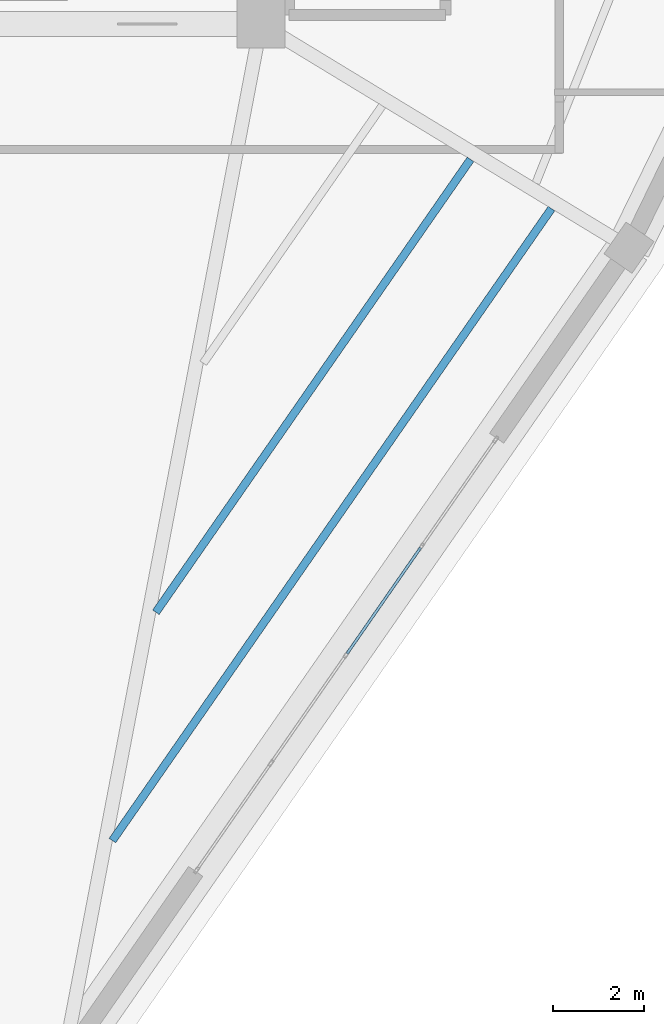
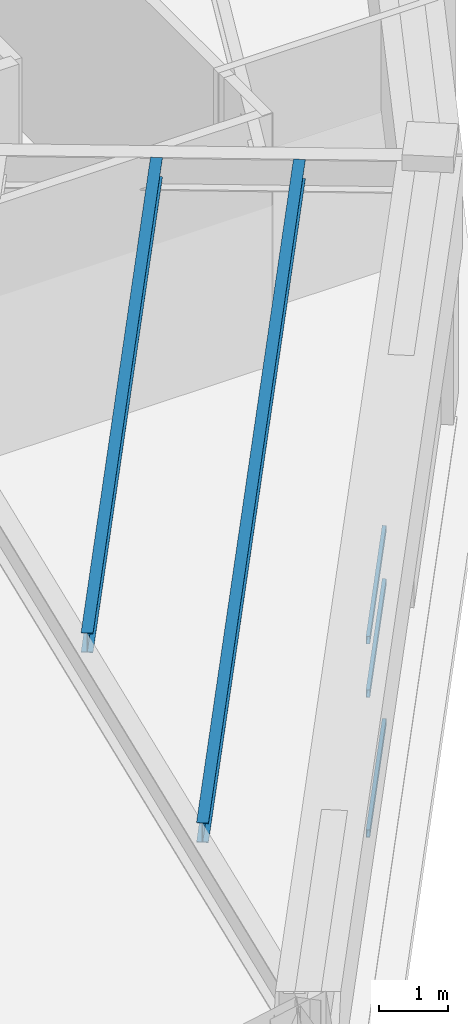
# One storey, part 13 of 40: 3 members, 2 beams, 1 element without a shape of its own.
"""IFC4 building model written with IfcOpenShell, lengths in metres."""

from ifc_helpers import new_model, si_unit, direction, frame, origin, origin_2d, place, context, subcontext, project, spatial, hollow_rectangle, i_section, extrude, source, transform, mapped, material, layer, layer_set, material_profile, profile_set, type_object, element, aggregate, save


model = new_model("IFC4")

# Units and contexts
model_context = context("Model", 3, precision=1e-05, world=origin(), true_north=direction((0.0, 1.0)))
body_context = subcontext(model_context, "Body", "Model", "MODEL_VIEW")
ifc_project = project(units=[si_unit("LENGTHUNIT", "METRE"), si_unit("AREAUNIT", "SQUARE_METRE"), si_unit("VOLUMEUNIT", "CUBIC_METRE"), si_unit("PLANEANGLEUNIT", "RADIAN"), si_unit("MASSUNIT", "GRAM", prefix="KILO")], contexts=[model_context])

# Site, building, storey
site_placement = place(None, origin())
site = spatial("IfcSite", under=ifc_project, at=site_placement, CompositionType="ELEMENT")
building_placement = place(site_placement, origin())
building = spatial("IfcBuilding", under=site, at=building_placement, Name="Liaohun Quay Tower", CompositionType="ELEMENT")
storey_placement = place(building_placement, frame((0.0, 0.0, 351.0)))
storey = spatial("IfcBuildingStorey", under=building, at=storey_placement, Name="L91", CompositionType="ELEMENT", Elevation=351.0)

# Beams
ifc_material_1 = material(Name="Steel Q355D", Category="steel")
ifc_material_profile_1 = material_profile(ifc_material_1, i_section(OverallWidth=0.175048828125, OverallDepth=0.35009765625, WebThickness=0.007080078125, FlangeThickness=0.010986328125, at=origin_2d()), Name="HN350x175x7x11")
ifc_profile_set_1 = profile_set([ifc_material_profile_1], Name="Steel Q355D")
beam_type = type_object("IfcBeamType", Name="BM-SEC-J3", PredefinedType="JOIST", material=ifc_profile_set_1)
shared_shape_1 = source(origin(), body_context, "Body", "SweptSolid", [
    extrude(i_section(OverallWidth=0.175048828125, OverallDepth=0.35009765625, WebThickness=0.007080078125, FlangeThickness=0.010986328125, at=origin_2d()), origin(), (0.0, 0.0, 1.0), 12.12646484375),
])
beam_1_placement = place(storey_placement, frame((73.60888671875, 43.52392578125, 4.344970703125), z_axis=(-0.570561806474, -0.821254665127, 0.0), x_axis=(0.821254665127, -0.570561806474, 0.0)))
element("IfcBeam", 1, at=beam_1_placement, inside=storey, type_object=beam_type, Name="L91 Wing Secondary Floor Joist SJ-13", PredefinedType="JOIST", context=body_context, shape_type="MappedRepresentation", body=[
    mapped(shared_shape_1, transform((0.0, 0.0, 0.0), x_axis=(1.0, 0.0, 0.0), y_axis=(0.0, 1.0, 0.0), z_axis=(0.0, 0.0, 1.0), scale=1.0)),
])
shared_shape_2 = source(origin(), body_context, "Body", "SweptSolid", [
    extrude(i_section(OverallWidth=0.175048828125, OverallDepth=0.35009765625, WebThickness=0.007080078125, FlangeThickness=0.010986328125, at=origin_2d()), origin(), (0.0, 0.0, 1.0), 16.923095703125),
])
beam_2_placement = place(storey_placement, frame((75.389892578125, 42.44189453125, 4.344970703125), z_axis=(-0.570581258811, -0.82124115039, 0.0), x_axis=(0.82124115039, -0.570581258811, 0.0)))
element("IfcBeam", 2, at=beam_2_placement, inside=storey, type_object=beam_type, Name="L91 Wing Secondary Floor Joist SJ-14", PredefinedType="JOIST", context=body_context, shape_type="MappedRepresentation", body=[
    mapped(shared_shape_2, transform((0.0, 0.0, 0.0), x_axis=(1.0, 0.0, 0.0), y_axis=(0.0, 1.0, 0.0), z_axis=(0.0, 0.0, 1.0), scale=1.0)),
])

# Curtain wall, members
ifc_material_2 = material(Name="Observation gallery panoramic triple-glazed curtain wall")
ifc_layer = layer(ifc_material_2, 0.219970703125, Name="Observation gallery panoramic triple-glazed curtain wall")
ifc_layer_set = layer_set([ifc_layer], Name="Observation gallery panoramic triple-glazed curtain wall")
curtain_wall_type = type_object("IfcCurtainWallType", Name="CW-OBS-CRN", PredefinedType="NOTDEFINED", material=ifc_layer_set)
curtain_wall_placement = place(storey_placement, origin())
curtain_wall = element("IfcCurtainWall", 3, at=curtain_wall_placement, inside=storey, type_object=curtain_wall_type, Name="L91 Panoramic Belvedere Curtain Wall 01", PredefinedType="NOTDEFINED")
ifc_material_3 = material(Name="Anodised aluminium 6063-T6", Category="aluminium")
ifc_material_profile_2 = material_profile(ifc_material_3, hollow_rectangle(XDim=0.06005859375, YDim=0.135009765625, WallThickness=0.00390625, at=origin_2d()), Name="RHS135x60x4")
ifc_profile_set_2 = profile_set([ifc_material_profile_2], Name="Anodised aluminium 6063-T6")
member_type = type_object("IfcMemberType", Name="MEM-CWT-SKY", PredefinedType="USERDEFINED", material=ifc_profile_set_2)
shared_shape_3 = source(origin(), body_context, "Body", "SweptSolid", [
    extrude(hollow_rectangle(XDim=0.06005859375, YDim=0.135009765625, WallThickness=0.00390625, at=origin_2d()), origin(), (0.0, 0.0, 1.0), 2.834716796875),
])
member_1_placement = place(storey_placement, frame((70.8935546875, 32.65576171875, 0.030029296875), z_axis=(0.570557192875, 0.821257870378, 0.0), x_axis=(-0.821257870378, 0.570557192875, 0.0)))
member_1 = element("IfcMember", 4, at=member_1_placement, type_object=member_type, Name="CW6 transom 3.1", ObjectType="TRANSOM", PredefinedType="USERDEFINED", context=body_context, shape_type="MappedRepresentation", body=[
    mapped(shared_shape_3, transform((0.0, 0.0, 0.0), x_axis=(1.0, 0.0, 0.0), y_axis=(0.0, 1.0, 0.0), z_axis=(0.0, 0.0, 1.0), scale=1.0)),
])
member_2_placement = place(storey_placement, frame((70.8935546875, 32.65576171875, 2.52001953125), z_axis=(0.570557192875, 0.821257870378, 0.0), x_axis=(-0.821257870378, 0.570557192875, 0.0)))
member_2 = element("IfcMember", 5, at=member_2_placement, type_object=member_type, Name="CW6 transom 3.2", ObjectType="TRANSOM", PredefinedType="USERDEFINED", context=body_context, shape_type="MappedRepresentation", body=[
    mapped(shared_shape_3, transform((0.0, 0.0, 0.0), x_axis=(1.0, 0.0, 0.0), y_axis=(0.0, 1.0, 0.0), z_axis=(0.0, 0.0, 1.0), scale=1.0)),
])
member_3_placement = place(storey_placement, frame((70.8935546875, 32.65576171875, 3.469970703125), z_axis=(0.570557192875, 0.821257870378, 0.0), x_axis=(-0.821257870378, 0.570557192875, 0.0)))
member_3 = element("IfcMember", 6, at=member_3_placement, type_object=member_type, Name="CW6 transom 3.3", ObjectType="TRANSOM", PredefinedType="USERDEFINED", context=body_context, shape_type="MappedRepresentation", body=[
    mapped(shared_shape_3, transform((0.0, 0.0, 0.0), x_axis=(1.0, 0.0, 0.0), y_axis=(0.0, 1.0, 0.0), z_axis=(0.0, 0.0, 1.0), scale=1.0)),
])
aggregate(curtain_wall, [member_1, member_2, member_3])

save(model, "model.ifc")
